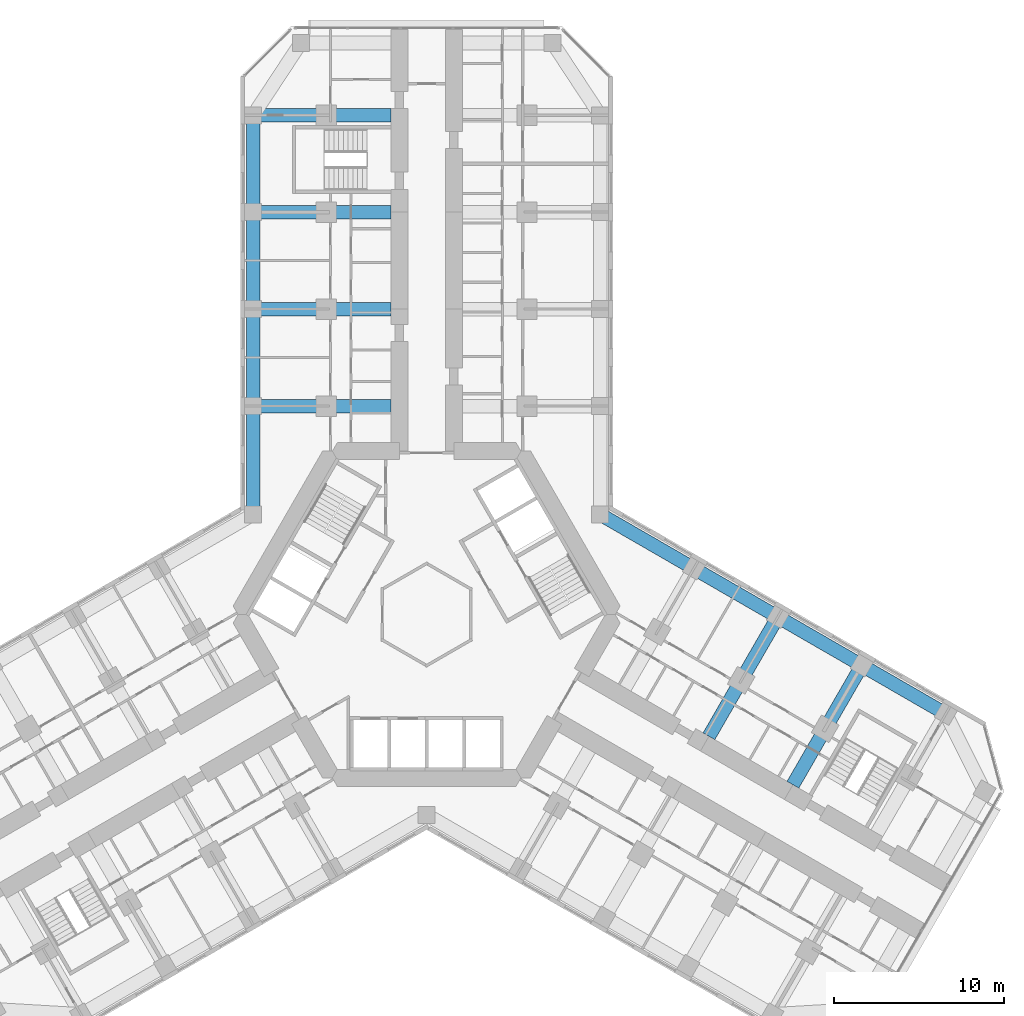
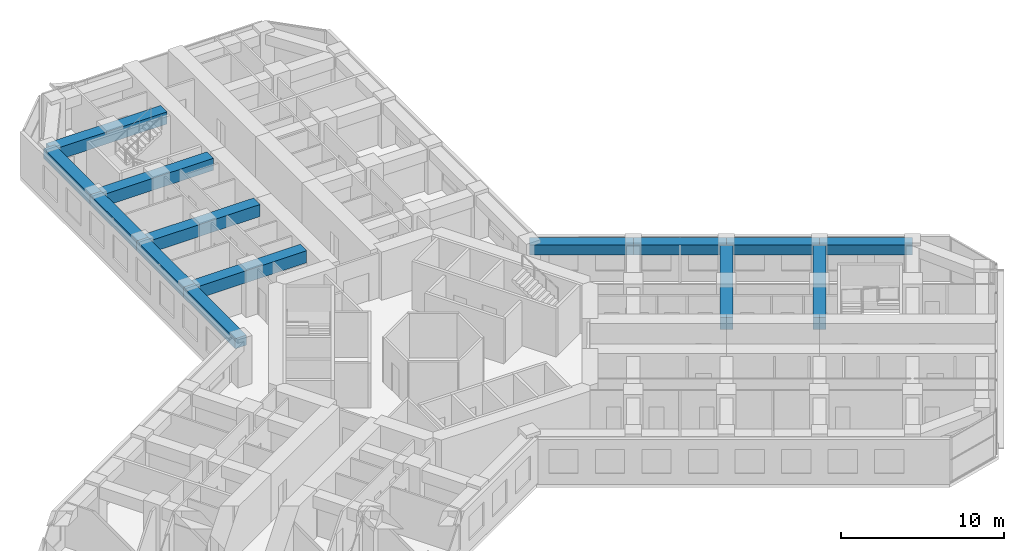
# One storey, part 6 of 21: 14 beams.
"""IFC4 building model written with IfcOpenShell, lengths in metres."""

from ifc_helpers import new_model, si_unit, direction, frame, origin, origin_2d, place, context, subcontext, project, spatial, rectangle, extrude, material, material_profile, profile_set, type_object, element, save


model = new_model("IFC4")

# Units and contexts
model_context = context("Model", 3, precision=1e-05, world=origin(), true_north=direction((0.0, 1.0)))
body_context = subcontext(model_context, "Body", "Model", "MODEL_VIEW")
ifc_project = project(units=[si_unit("LENGTHUNIT", "METRE"), si_unit("AREAUNIT", "SQUARE_METRE"), si_unit("VOLUMEUNIT", "CUBIC_METRE"), si_unit("PLANEANGLEUNIT", "RADIAN"), si_unit("MASSUNIT", "GRAM", prefix="KILO")], contexts=[model_context])

# Site, building, storey
site_placement = place(None, origin())
site = spatial("IfcSite", under=ifc_project, at=site_placement, CompositionType="ELEMENT")
building_placement = place(site_placement, origin())
building = spatial("IfcBuilding", under=site, at=building_placement, Name="Kosmar Iwan School Tower", CompositionType="ELEMENT")
storey_placement = place(building_placement, frame((0.0, 0.0, 68.199951171875)))
storey = spatial("IfcBuildingStorey", under=building, at=storey_placement, Name="L16", CompositionType="ELEMENT", Elevation=68.199951171875)

# Beams
ifc_material_1 = material(Name="Concrete C50/60", Category="concrete")
ifc_material_profile_1 = material_profile(ifc_material_1, rectangle(XDim=0.800048828125, YDim=0.75, at=origin_2d()), Name="RC 800x750")
ifc_profile_set_1 = profile_set([ifc_material_profile_1], Name="Concrete C50/60")
beam_type_1 = type_object("IfcBeamType", Name="RC edge beam 800x750", PredefinedType="BEAM", material=ifc_profile_set_1)
beam_1_placement = place(storey_placement, frame((-10.199951171875, 5.888916015625, 2.97509765625), z_axis=(0.0, 1.0, 0.0), x_axis=(-1.0, 0.0, 0.0)))
element("IfcBeam", 1, at=beam_1_placement, inside=storey, type_object=beam_type_1, Name="Edge beam AL1", PredefinedType="BEAM", context=body_context, shape_type="SweptSolid", body=[
    extrude(rectangle(XDim=0.800048828125, YDim=0.75, at=origin_2d()), origin(), (0.0, 0.0, 1.0), 6.361083984375),
])
for number, where, z_axis, x_axis, name in (
    (2, (-10.199951171875, 12.25, 2.97509765625), (0.0, 1.0, 0.0), (-1.0, 0.0, 0.0), "Edge beam AL2"),
    (3, (-10.199951171875, 17.949951171875, 2.97509765625), (0.0, 1.0, 0.0), (-1.0, 0.0, 0.0), "Edge beam AL3"),
):
    element("IfcBeam", number, at=place(storey_placement, frame(where, z_axis=z_axis, x_axis=x_axis)), inside=storey, type_object=beam_type_1, Name=name, PredefinedType="BEAM", context=body_context, shape_type="SweptSolid", body=[
        extrude(rectangle(XDim=0.800048828125, YDim=0.75, at=origin_2d()), origin(), (0.0, 0.0, 1.0), 5.699951171875),
    ])
beam_2_placement = place(storey_placement, frame((-10.199951171875, 23.64990234375, 2.97509765625), z_axis=(0.0, 1.0, 0.0), x_axis=(-1.0, 0.0, 0.0)))
element("IfcBeam", 4, at=beam_2_placement, inside=storey, type_object=beam_type_1, Name="Edge beam AL4", PredefinedType="BEAM", context=body_context, shape_type="SweptSolid", body=[
    extrude(rectangle(XDim=0.800048828125, YDim=0.75, at=origin_2d()), origin(), (0.0, 0.0, 1.0), 5.7001953125),
])
beam_3_placement = place(storey_placement, frame((10.199951171875, 5.888916015625, 2.97509765625), z_axis=(0.866030912664, -0.49999045822, 0.0), x_axis=(0.49999045822, 0.866030912664, 0.0)))
element("IfcBeam", 5, at=beam_3_placement, inside=storey, type_object=beam_type_1, Name="Edge beam CL1", PredefinedType="BEAM", context=body_context, shape_type="SweptSolid", body=[
    extrude(rectangle(XDim=0.800048828125, YDim=0.75, at=origin_2d()), origin(), (0.0, 0.0, 1.0), 6.36083984375),
])
beam_4_placement = place(storey_placement, frame((15.708740234375, 2.70849609375, 2.97509765625), z_axis=(0.866025820012, -0.499999279071, 0.0), x_axis=(0.499999279071, 0.866025820012, 0.0)))
element("IfcBeam", 6, at=beam_4_placement, inside=storey, type_object=beam_type_1, Name="Edge beam CL2", PredefinedType="BEAM", context=body_context, shape_type="SweptSolid", body=[
    extrude(rectangle(XDim=0.800048828125, YDim=0.75, at=origin_2d()), origin(), (0.0, 0.0, 1.0), 5.7001953125),
])
for number, where, z_axis, x_axis, name in (
    (7, (20.645263671875, -0.1416015625, 2.97509765625), (0.866033658841, -0.49998570155, 0.0), (0.49998570155, 0.866033658841, 0.0), "Edge beam CL3"),
    (8, (25.58154296875, -2.991455078125, 2.97509765625), (0.866015111908, -0.50001782563, 0.0), (0.50001782563, 0.866015111908, 0.0), "Edge beam CL4"),
):
    element("IfcBeam", number, at=place(storey_placement, frame(where, z_axis=z_axis, x_axis=x_axis)), inside=storey, type_object=beam_type_1, Name=name, PredefinedType="BEAM", context=body_context, shape_type="SweptSolid", body=[
        extrude(rectangle(XDim=0.800048828125, YDim=0.75, at=origin_2d()), origin(), (0.0, 0.0, 1.0), 5.699951171875),
    ])
ifc_material_2 = material(Name="Concrete C50/60", Category="concrete")
ifc_material_profile_2 = material_profile(ifc_material_2, rectangle(XDim=0.800048828125, YDim=0.89990234375, at=origin_2d()), Name="RC 800x900")
ifc_profile_set_2 = profile_set([ifc_material_profile_2], Name="Concrete C50/60")
beam_type_2 = type_object("IfcBeamType", Name="RC transverse beam 800x900", PredefinedType="BEAM", material=ifc_profile_set_2)
for number, where, z_axis, x_axis, name in (
    (9, (-10.199951171875, 12.25, 2.900146484375), (1.0, 0.0, 0.0), (0.0, 1.0, 0.0), "Transverse beam AL1"),
    (10, (-10.199951171875, 17.949951171875, 2.900146484375), (1.0, 0.0, 0.0), (0.0, 1.0, 0.0), "Transverse beam AL2"),
    (11, (-10.199951171875, 23.64990234375, 2.900146484375), (1.0, 0.0, 0.0), (0.0, 1.0, 0.0), "Transverse beam AL3"),
    (12, (-10.199951171875, 29.35009765625, 2.900146484375), (1.0, 0.0, 0.0), (0.0, 1.0, 0.0), "Transverse beam AL4"),
    (13, (20.645263671875, -0.1416015625, 2.900146484375), (-0.500012932018, -0.866017937352, 0.0), (0.866017937352, -0.500012932018, 0.0), "Transverse beam CL2"),
):
    element("IfcBeam", number, at=place(storey_placement, frame(where, z_axis=z_axis, x_axis=x_axis)), inside=storey, type_object=beam_type_2, Name=name, PredefinedType="BEAM", context=body_context, shape_type="SweptSolid", body=[
        extrude(rectangle(XDim=0.800048828125, YDim=0.89990234375, at=origin_2d()), origin(), (0.0, 0.0, 1.0), 8.099853515625),
    ])
beam_5_placement = place(storey_placement, frame((25.58154296875, -2.991455078125, 2.900146484375), z_axis=(-0.499999880539, -0.866025472755, 0.0), x_axis=(0.866025472755, -0.499999880539, 0.0)))
element("IfcBeam", 14, at=beam_5_placement, inside=storey, type_object=beam_type_2, Name="Transverse beam CL3", PredefinedType="BEAM", context=body_context, shape_type="SweptSolid", body=[
    extrude(rectangle(XDim=0.800048828125, YDim=0.89990234375, at=origin_2d()), origin(), (0.0, 0.0, 1.0), 8.10009765625),
])

save(model, "model.ifc")
